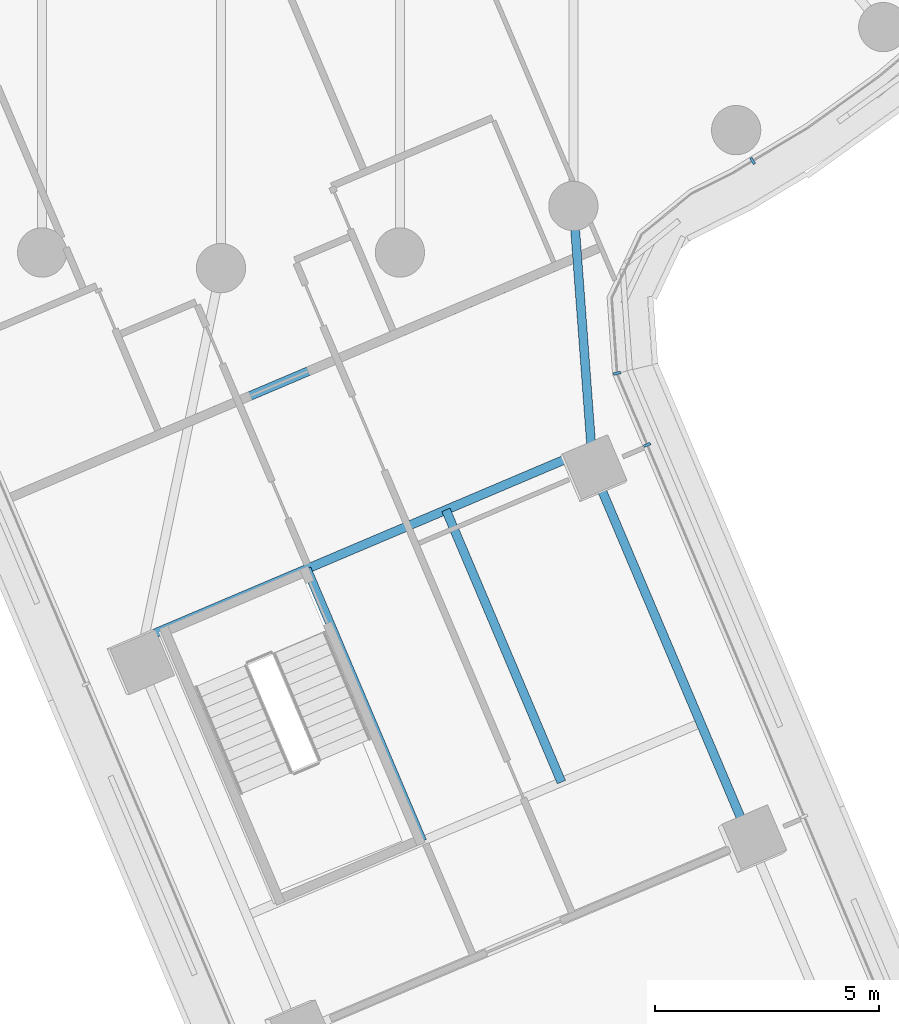
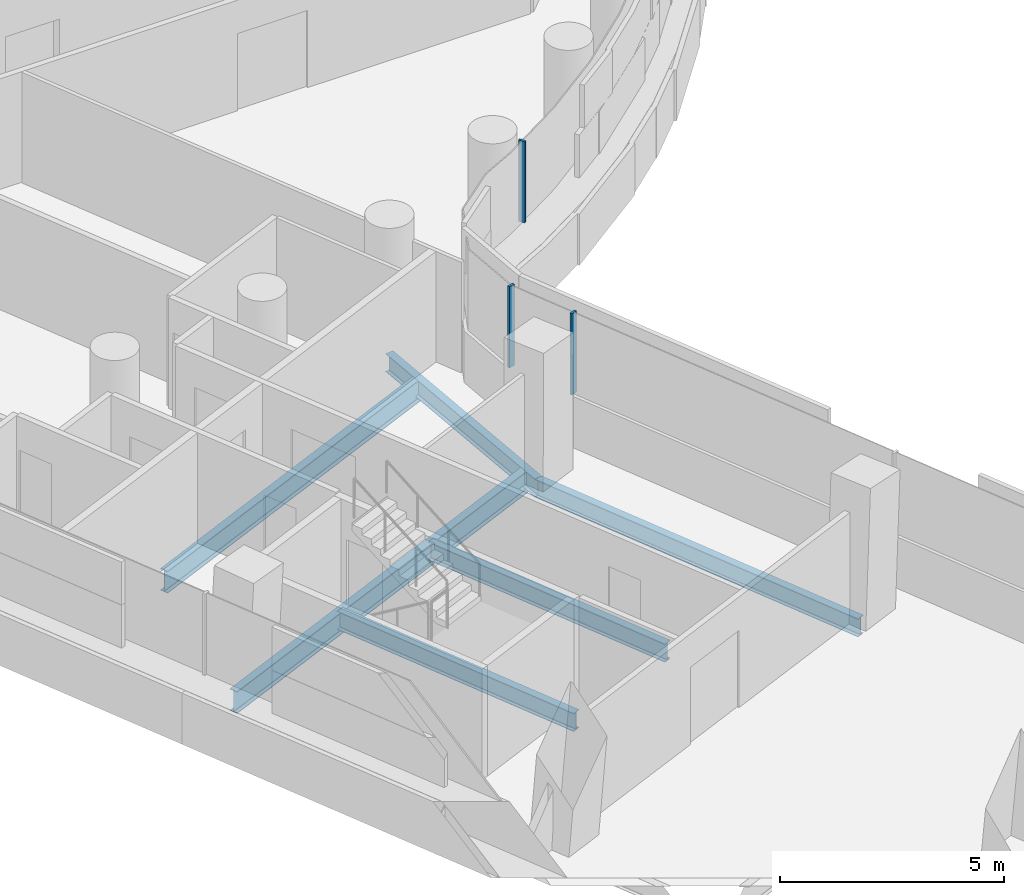
# One storey, part 4 of 35: 6 beams, 3 members, 2 elements without a shape of their own.
"""IFC4 building model written with IfcOpenShell, lengths in metres."""

from ifc_helpers import new_model, si_unit, direction, frame, origin, origin_2d, place, context, subcontext, project, spatial, rectangle, i_section, extrude, material, layer, layer_set, material_profile, profile_set, type_object, element, aggregate, save


model = new_model("IFC4")

# Units and contexts
model_context = context("Model", 3, precision=1e-05, world=origin(), true_north=direction((0.0, 1.0)))
body_context = subcontext(model_context, "Body", "Model", "MODEL_VIEW")
ifc_project = project(units=[si_unit("LENGTHUNIT", "METRE"), si_unit("AREAUNIT", "SQUARE_METRE"), si_unit("VOLUMEUNIT", "CUBIC_METRE"), si_unit("PLANEANGLEUNIT", "RADIAN"), si_unit("MASSUNIT", "GRAM", prefix="KILO")], contexts=[model_context])

# Site, building, storey
site_placement = place(None, origin())
site = spatial("IfcSite", under=ifc_project, at=site_placement, CompositionType="ELEMENT")
building_placement = place(site_placement, origin())
building = spatial("IfcBuilding", under=site, at=building_placement, Name="Tamarind Cross Interchange Tower", CompositionType="ELEMENT")
storey_placement = place(building_placement, frame((0.0, 0.0, 117.25)))
storey = spatial("IfcBuildingStorey", under=building, at=storey_placement, Name="L28", CompositionType="ELEMENT", Elevation=117.25)

# Beams
ifc_material_1 = material(Name="Steel Q355B", Category="steel")
ifc_material_profile_1 = material_profile(ifc_material_1, i_section(OverallWidth=0.198974609375, OverallDepth=0.49609375, WebThickness=0.009033203125, FlangeThickness=0.013916015625, FilletRadius=0.012939453125, at=origin_2d()), Name="HN 496x199x9x14")
ifc_profile_set_1 = profile_set([ifc_material_profile_1], Name="Steel Q355B")
beam_type_1 = type_object("IfcBeamType", Name="Composite beam HN 496x199x9x14 Q355B", PredefinedType="BEAM", material=ifc_profile_set_1)
beam_1_placement = place(storey_placement, frame((11.81884765625, -35.778564453125, -0.387939453125), z_axis=(-0.390492024579, 0.920606310396, 0.0), x_axis=(-0.920606310396, -0.390492024579, 0.0)))
element("IfcBeam", 1, at=beam_1_placement, inside=storey, type_object=beam_type_1, Name="Beam S-edgeep3", PredefinedType="BEAM", context=body_context, shape_type="SweptSolid", body=[
    extrude(i_section(OverallWidth=0.198974609375, OverallDepth=0.49609375, WebThickness=0.009033203125, FlangeThickness=0.013916015625, FilletRadius=0.012939453125, at=origin_2d()), origin(), (0.0, 0.0, 1.0), 9.0),
])
beam_2_placement = place(storey_placement, frame((8.304443359375, -27.4931640625, -0.387939453125), z_axis=(-0.074280418696, 0.997237393702, 0.0), x_axis=(-0.997237393702, -0.074280418696, 0.0)))
element("IfcBeam", 2, at=beam_2_placement, inside=storey, type_object=beam_type_1, Name="Beam S-linkep", PredefinedType="BEAM", context=body_context, shape_type="SweptSolid", body=[
    extrude(i_section(OverallWidth=0.198974609375, OverallDepth=0.49609375, WebThickness=0.009033203125, FlangeThickness=0.013916015625, FilletRadius=0.012939453125, at=origin_2d()), origin(), (0.0, 0.0, 1.0), 5.896484375),
])
for number, where, z_axis, x_axis, name in (
    (3, (1.91455078125, -29.71484375, -0.387939453125), (0.390514697861, -0.920596692778, 0.0), (0.920596692778, 0.390514697861, 0.0), "Beam S-tr1"),
    (4, (5.021728515625, -28.39697265625, -0.387939453125), (0.390514697861, -0.920596692778, 0.0), (0.920596692778, 0.390514697861, 0.0), "Beam S-stripp"),
):
    element("IfcBeam", number, at=place(storey_placement, frame(where, z_axis=z_axis, x_axis=x_axis)), inside=storey, type_object=beam_type_1, Name=name, PredefinedType="BEAM", context=body_context, shape_type="SweptSolid", body=[
        extrude(i_section(OverallWidth=0.198974609375, OverallDepth=0.49609375, WebThickness=0.009033203125, FlangeThickness=0.013916015625, FilletRadius=0.012939453125, at=origin_2d()), origin(), (0.0, 0.0, 1.0), 6.60009765625),
    ])
ifc_material_profile_2 = material_profile(ifc_material_1, i_section(OverallWidth=0.199951171875, OverallDepth=0.60009765625, WebThickness=0.010986328125, FlangeThickness=0.01708984375, FilletRadius=0.012939453125, at=origin_2d()), Name="HN 600x200x11x17")
ifc_profile_set_2 = profile_set([ifc_material_profile_2], Name="Steel Q355B")
beam_type_2 = type_object("IfcBeamType", Name="Composite beam HN 600x200x11x17 Q355B", PredefinedType="BEAM", material=ifc_profile_set_2)
beam_3_placement = place(storey_placement, frame((-1.7109375, -31.2529296875, -0.43994140625), z_axis=(0.920602881162, 0.390500109086, 0.0), x_axis=(-0.390500109086, 0.920602881162, 0.0)))
element("IfcBeam", 5, at=beam_3_placement, inside=storey, type_object=beam_type_2, Name="Beam S-x298", PredefinedType="BEAM", context=body_context, shape_type="SweptSolid", body=[
    extrude(i_section(OverallWidth=0.199951171875, OverallDepth=0.60009765625, WebThickness=0.010986328125, FlangeThickness=0.01708984375, FilletRadius=0.012939453125, at=origin_2d()), origin(), (0.0, 0.0, 1.0), 10.841064453125),
])
beam_4_placement = place(storey_placement, frame((-0.7109375, -26.42919921875, -0.43994140625), z_axis=(0.920605525707, 0.390493874521, 0.0), x_axis=(-0.390493874521, 0.920605525707, 0.0)))
element("IfcBeam", 6, at=beam_4_placement, inside=storey, type_object=beam_type_2, Name="Beam S-x258", PredefinedType="BEAM", context=body_context, shape_type="SweptSolid", body=[
    extrude(i_section(OverallWidth=0.199951171875, OverallDepth=0.60009765625, WebThickness=0.010986328125, FlangeThickness=0.01708984375, FilletRadius=0.012939453125, at=origin_2d()), origin(), (0.0, 0.0, 1.0), 9.409423828125),
])

# Curtain wall, member
ifc_material_2 = material(Name="Aluminium 6063-T6", Category="aluminium")
ifc_layer = layer(ifc_material_2, 0.159912109375)
ifc_layer_set = layer_set([ifc_layer], Name="Aluminium 6063-T6")
curtain_wall_type = type_object("IfcCurtainWallType", Name="Office curtain wall, 9.0 m bays", PredefinedType="NOTDEFINED", material=ifc_layer_set)
curtain_wall_1_placement = place(storey_placement, origin())
curtain_wall_1 = element("IfcCurtainWall", 7, at=curtain_wall_1_placement, inside=storey, type_object=curtain_wall_type, Name="CWS-L28-05", PredefinedType="NOTDEFINED")
ifc_material_profile_3 = material_profile(ifc_material_2, rectangle(XDim=0.06005859375, YDim=0.159912109375, at=origin_2d()), Name="Mullion CW1")
ifc_profile_set_3 = profile_set([ifc_material_profile_3], Name="Aluminium 6063-T6")
member_type = type_object("IfcMemberType", Name="Mullion CW1", PredefinedType="MULLION", material=ifc_profile_set_3)
member_1_placement = place(storey_placement, frame((9.514892578125, -26.944091796875, 1.39990234375), z_axis=(0.0, 0.0, 1.0), x_axis=(-0.388938701154, 0.921263635853, 0.0)))
member_1 = element("IfcMember", 8, at=member_1_placement, type_object=member_type, Name="CWM-L28-05-02", PredefinedType="MULLION", context=body_context, shape_type="SweptSolid", body=[
    extrude(rectangle(XDim=0.06005859375, YDim=0.159912109375, at=origin_2d()), origin(), (0.0, 0.0, 1.0), 2.210205078125),
])
aggregate(curtain_wall_1, [member_1])

# Curtain wall, members
curtain_wall_2_placement = place(storey_placement, origin())
curtain_wall_2 = element("IfcCurtainWall", 9, at=curtain_wall_2_placement, inside=storey, type_object=curtain_wall_type, Name="CWS-L28-06", PredefinedType="NOTDEFINED")
member_2_placement = place(storey_placement, frame((8.840576171875, -25.346923828125, 1.39990234375), z_axis=(0.0, 0.0, 1.0), x_axis=(-0.233232407545, 0.972421022022, 0.0)))
member_2 = element("IfcMember", 10, at=member_2_placement, type_object=member_type, Name="CWM-L28-06-00", PredefinedType="MULLION", context=body_context, shape_type="SweptSolid", body=[
    extrude(rectangle(XDim=0.06005859375, YDim=0.159912109375, at=origin_2d()), origin(), (0.0, 0.0, 1.0), 2.210205078125),
])
member_3_placement = place(storey_placement, frame((11.868896484375, -20.60595703125, 1.39990234375), z_axis=(0.0, 0.0, 1.0), x_axis=(0.856843065292, 0.515577308909, 0.0)))
member_3 = element("IfcMember", 11, at=member_3_placement, type_object=member_type, Name="CWM-L28-06-01", PredefinedType="MULLION", context=body_context, shape_type="SweptSolid", body=[
    extrude(rectangle(XDim=0.06005859375, YDim=0.159912109375, at=origin_2d()), origin(), (0.0, 0.0, 1.0), 2.210205078125),
])
aggregate(curtain_wall_2, [member_2, member_3])

save(model, "model.ifc")
